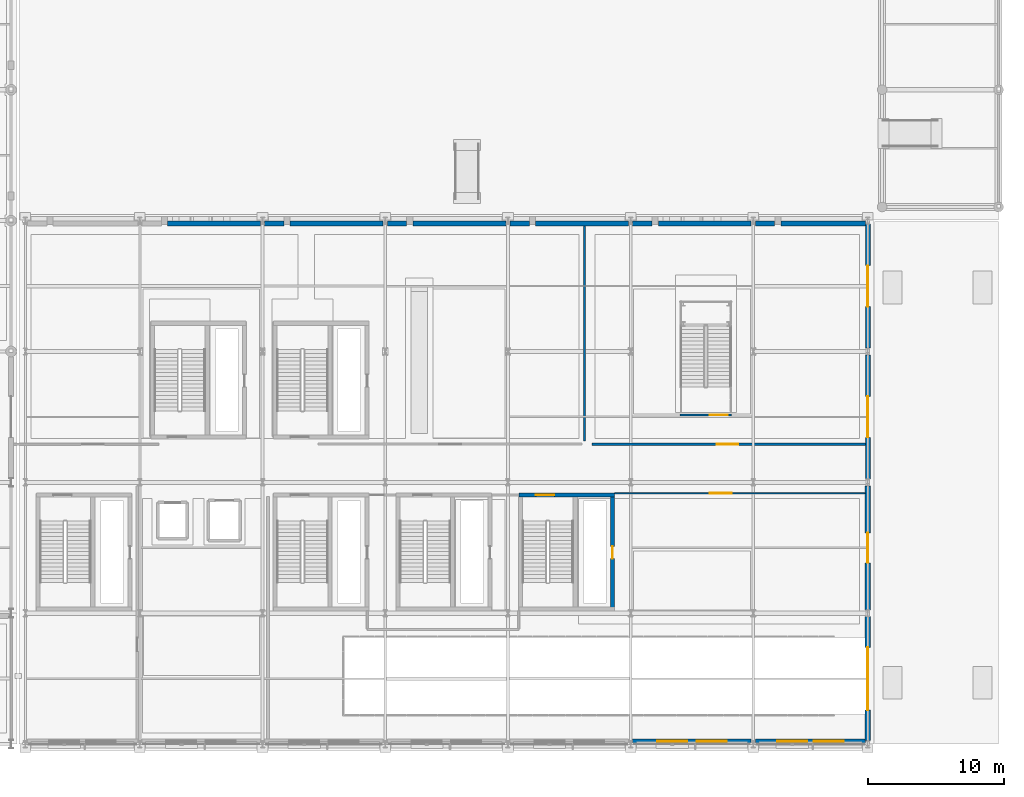
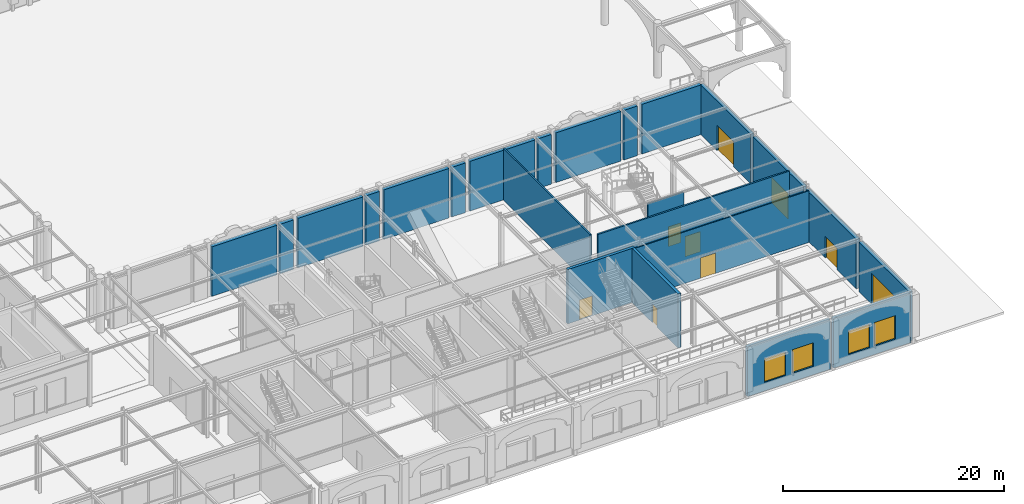
# One storey, part 66 of 113: 23 walls, 9 doors, 4 windows, 13 openings.
"""IFC4 building model written with IfcOpenShell, lengths in metres."""

from ifc_helpers import new_model, si_unit, direction, frame, frame_2d, origin, place, context, subcontext, project, spatial, rectangle, extrude, material, layer, layer_set, type_object, element, fill, save


model = new_model("IFC4")

# Units and contexts
model_context = context("Model", 3, precision=1e-05, world=origin(), true_north=direction((0.0, 1.0)))
body_context = subcontext(model_context, "Body", "Model", "MODEL_VIEW")
ifc_project = project(units=[si_unit("LENGTHUNIT", "METRE"), si_unit("AREAUNIT", "SQUARE_METRE"), si_unit("VOLUMEUNIT", "CUBIC_METRE"), si_unit("PLANEANGLEUNIT", "RADIAN"), si_unit("MASSUNIT", "GRAM", prefix="KILO")], contexts=[model_context])

# Site, building, storey
site_placement = place(None, origin())
site = spatial("IfcSite", under=ifc_project, at=site_placement, CompositionType="ELEMENT")
building_placement = place(site_placement, origin())
building = spatial("IfcBuilding", under=site, at=building_placement, Name="Myrtia Square Station", CompositionType="ELEMENT")
storey_placement = place(building_placement, origin())
storey = spatial("IfcBuildingStorey", under=building, at=storey_placement, Name="L00", CompositionType="ELEMENT", Elevation=0.0)

# Wall, opening, door
ifc_material_1 = material(Name="Concrete C35/45", Category="concrete")
ifc_layer_1 = layer(ifc_material_1, 0.300048828125, Name="Concrete C35/45")
ifc_layer_set_1 = layer_set([ifc_layer_1], Name="Concrete C35/45")
wall_type_1 = type_object("IfcWallType", Name="WL-CORE-300", PredefinedType="SHEAR", material=ifc_layer_set_1)
wall_1_placement = place(storey_placement, frame((153.800048828125, 18.27490234375, 0.0), z_axis=(0.0, 0.0, 1.0), x_axis=(1.0, 0.0, 0.0)))
wall_1 = element("IfcWall", 1, at=wall_1_placement, inside=storey, type_object=wall_type_1, Name="Core K14 shear wall L00 N", PredefinedType="SHEAR", context=body_context, shape_type="SweptSolid", body=[
    extrude(rectangle(XDim=7.0, YDim=0.300048828125, at=frame_2d((3.5, 0.0))), origin(), (0.0, 0.0, 1.0), 6.0),
])
opening_1_placement = place(wall_1_placement, frame((1.25, 0.0, 0.0)))
opening_1 = element("IfcOpeningElement", 2, at=opening_1_placement, cuts=wall_1, Name="Opening SD-101", PredefinedType="OPENING", context=body_context, shape_type="SweptSolid", body=[
    extrude(rectangle(XDim=1.35009765625, YDim=2.199951171875, at=frame_2d((0.675048828125, 1.10009765625))), frame((0.0, 0.1650390625, 0.0), z_axis=(0.0, -1.0, 0.0), x_axis=(1.0, 0.0, 0.0)), (0.0, 0.0, 1.0), 0.330078125),
])
ifc_material_2 = material(Name="Dark bronze anodised aluminium", Category="aluminium")
door_type_1 = type_object("IfcDoorType", Name="DR-STAIR-1350x2200", OperationType="NOTDEFINED", PredefinedType="DOOR", material=ifc_material_2)
door_1_placement = place(opening_1_placement, origin())
door_1 = element("IfcDoor", 3, at=door_1_placement, inside=storey, type_object=door_type_1, Name="Protected stair fire door K14 L00", OperationType="SINGLE_SWING_LEFT", OverallHeight=2.199951171875, OverallWidth=1.35009765625, PredefinedType="DOOR", context=body_context, shape_type="SweptSolid", body=[
    extrude(rectangle(XDim=1.35009765625, YDim=2.199951171875, at=frame_2d((0.675048828125, 1.10009765625))), frame((0.0, 0.02490234375, 0.0), z_axis=(0.0, -1.0, 0.0), x_axis=(1.0, 0.0, 0.0)), (0.0, 0.0, 1.0), 0.050048828125),
])
fill(opening_1, door_1)

wall_2_placement = place(storey_placement, frame((160.675048828125, 9.800048828125, 0.0), z_axis=(0.0, 0.0, 1.0), x_axis=(0.0, 1.0, 0.0)))
wall_2 = element("IfcWall", 4, at=wall_2_placement, inside=storey, type_object=wall_type_1, Name="Core K14 shear wall L00 E", PredefinedType="SHEAR", context=body_context, shape_type="SweptSolid", body=[
    extrude(rectangle(XDim=8.599853515625, YDim=0.300048828125, at=frame_2d((4.2998046875, 0.0))), origin(), (0.0, 0.0, 1.0), 6.0),
])
opening_2_placement = place(wall_2_placement, frame((3.800048828125, 0.0, 0.0)))
opening_2 = element("IfcOpeningElement", 5, at=opening_2_placement, cuts=wall_2, Name="Opening RD-102", PredefinedType="OPENING", context=body_context, shape_type="SweptSolid", body=[
    extrude(rectangle(XDim=0.89990234375, YDim=2.050048828125, at=frame_2d((0.449951171875, 1.02490234375))), frame((0.0, 0.1650390625, 0.0), z_axis=(0.0, -1.0, 0.0), x_axis=(1.0, 0.0, 0.0)), (0.0, 0.0, 1.0), 0.330078125),
])
door_type_2 = type_object("IfcDoorType", Name="DR-RISER-900x2050", OperationType="NOTDEFINED", PredefinedType="DOOR", material=ifc_material_2)
door_2_placement = place(opening_2_placement, origin())
door_2 = element("IfcDoor", 6, at=door_2_placement, inside=storey, type_object=door_type_2, Name="Riser cupboard access door K14 L00", OperationType="SINGLE_SWING_RIGHT", OverallHeight=2.050048828125, OverallWidth=0.89990234375, PredefinedType="DOOR", context=body_context, shape_type="SweptSolid", body=[
    extrude(rectangle(XDim=0.89990234375, YDim=2.050048828125, at=frame_2d((0.449951171875, 1.02490234375))), frame((0.0, 0.02490234375, 0.0), z_axis=(0.0, -1.0, 0.0), x_axis=(1.0, 0.0, 0.0)), (0.0, 0.0, 1.0), 0.050048828125),
])
fill(opening_2, door_2)

# Walls
ifc_material_3 = material(Name="Pentelic marble ashlar", Category="masonry")
ifc_layer_2 = layer(ifc_material_3, 0.3798828125, Name="Pentelic marble ashlar")
ifc_layer_set_2 = layer_set([ifc_layer_2], Name="Pentelic marble ashlar")
wall_type_2 = type_object("IfcWallType", Name="WL-EXT-ASHLAR-380", PredefinedType="SOLIDWALL", material=ifc_layer_set_2)
wall_3_placement = place(storey_placement, frame((128.030029296875, 38.199951171875, 0.0), z_axis=(0.0, 0.0, 1.0), x_axis=(1.0, 0.0, 0.0)))
element("IfcWall", 7, at=wall_3_placement, inside=storey, type_object=wall_type_2, Name="Exterior envelope wall EW-L00-0028", PredefinedType="SOLIDWALL", context=body_context, shape_type="SweptSolid", body=[
    extrude(rectangle(XDim=6.81494140625, YDim=0.3798828125, at=frame_2d((3.407470703125, 0.0))), origin(), (0.0, 0.0, 1.0), 5.489990234375),
])
wall_4_placement = place(storey_placement, frame((135.155029296875, 38.199951171875, 0.0), z_axis=(0.0, 0.0, 1.0), x_axis=(1.0, 0.0, 0.0)))
element("IfcWall", 8, at=wall_4_placement, inside=storey, type_object=wall_type_2, Name="Exterior envelope wall EW-L00-0029", PredefinedType="SOLIDWALL", context=body_context, shape_type="SweptSolid", body=[
    extrude(rectangle(XDim=1.4150390625, YDim=0.3798828125, at=frame_2d((0.70751953125, 0.0))), origin(), (0.0, 0.0, 1.0), 5.489990234375),
])
wall_5_placement = place(storey_placement, frame((137.030029296875, 38.199951171875, 0.0), z_axis=(0.0, 0.0, 1.0), x_axis=(1.0, 0.0, 0.0)))
element("IfcWall", 9, at=wall_5_placement, inside=storey, type_object=wall_type_2, Name="Exterior envelope wall EW-L00-0030", PredefinedType="SOLIDWALL", context=body_context, shape_type="SweptSolid", body=[
    extrude(rectangle(XDim=6.81494140625, YDim=0.3798828125, at=frame_2d((3.407470703125, 0.0))), origin(), (0.0, 0.0, 1.0), 5.489990234375),
])
wall_6_placement = place(storey_placement, frame((144.155029296875, 38.199951171875, 0.0), z_axis=(0.0, 0.0, 1.0), x_axis=(1.0, 0.0, 0.0)))
element("IfcWall", 10, at=wall_6_placement, inside=storey, type_object=wall_type_2, Name="Exterior envelope wall EW-L00-0031", PredefinedType="SOLIDWALL", context=body_context, shape_type="SweptSolid", body=[
    extrude(rectangle(XDim=1.4150390625, YDim=0.3798828125, at=frame_2d((0.70751953125, 0.0))), origin(), (0.0, 0.0, 1.0), 5.489990234375),
])
wall_7_placement = place(storey_placement, frame((146.030029296875, 38.199951171875, 0.0), z_axis=(0.0, 0.0, 1.0), x_axis=(1.0, 0.0, 0.0)))
element("IfcWall", 11, at=wall_7_placement, inside=storey, type_object=wall_type_2, Name="Exterior envelope wall EW-L00-0032", PredefinedType="SOLIDWALL", context=body_context, shape_type="SweptSolid", body=[
    extrude(rectangle(XDim=6.81494140625, YDim=0.3798828125, at=frame_2d((3.407470703125, 0.0))), origin(), (0.0, 0.0, 1.0), 5.489990234375),
])
wall_8_placement = place(storey_placement, frame((153.155029296875, 38.199951171875, 0.0), z_axis=(0.0, 0.0, 1.0), x_axis=(1.0, 0.0, 0.0)))
element("IfcWall", 12, at=wall_8_placement, inside=storey, type_object=wall_type_2, Name="Exterior envelope wall EW-L00-0033", PredefinedType="SOLIDWALL", context=body_context, shape_type="SweptSolid", body=[
    extrude(rectangle(XDim=1.4150390625, YDim=0.3798828125, at=frame_2d((0.70751953125, 0.0))), origin(), (0.0, 0.0, 1.0), 5.489990234375),
])
wall_9_placement = place(storey_placement, frame((155.030029296875, 38.199951171875, 0.0), z_axis=(0.0, 0.0, 1.0), x_axis=(1.0, 0.0, 0.0)))
element("IfcWall", 13, at=wall_9_placement, inside=storey, type_object=wall_type_2, Name="Exterior envelope wall EW-L00-0034", PredefinedType="SOLIDWALL", context=body_context, shape_type="SweptSolid", body=[
    extrude(rectangle(XDim=6.81494140625, YDim=0.3798828125, at=frame_2d((3.407470703125, 0.0))), origin(), (0.0, 0.0, 1.0), 5.489990234375),
])
wall_10_placement = place(storey_placement, frame((162.155029296875, 38.199951171875, 0.0), z_axis=(0.0, 0.0, 1.0), x_axis=(1.0, 0.0, 0.0)))
element("IfcWall", 14, at=wall_10_placement, inside=storey, type_object=wall_type_2, Name="Exterior envelope wall EW-L00-0035", PredefinedType="SOLIDWALL", context=body_context, shape_type="SweptSolid", body=[
    extrude(rectangle(XDim=1.4150390625, YDim=0.3798828125, at=frame_2d((0.70751953125, 0.0))), origin(), (0.0, 0.0, 1.0), 5.489990234375),
])
wall_11_placement = place(storey_placement, frame((164.030029296875, 38.199951171875, 0.0), z_axis=(0.0, 0.0, 1.0), x_axis=(1.0, 0.0, 0.0)))
element("IfcWall", 15, at=wall_11_placement, inside=storey, type_object=wall_type_2, Name="Exterior envelope wall EW-L00-0036", PredefinedType="SOLIDWALL", context=body_context, shape_type="SweptSolid", body=[
    extrude(rectangle(XDim=6.81494140625, YDim=0.3798828125, at=frame_2d((3.407470703125, 0.0))), origin(), (0.0, 0.0, 1.0), 5.489990234375),
])
wall_12_placement = place(storey_placement, frame((171.155029296875, 38.199951171875, 0.0), z_axis=(0.0, 0.0, 1.0), x_axis=(1.0, 0.0, 0.0)))
element("IfcWall", 16, at=wall_12_placement, inside=storey, type_object=wall_type_2, Name="Exterior envelope wall EW-L00-0037", PredefinedType="SOLIDWALL", context=body_context, shape_type="SweptSolid", body=[
    extrude(rectangle(XDim=1.4150390625, YDim=0.3798828125, at=frame_2d((0.70751953125, 0.0))), origin(), (0.0, 0.0, 1.0), 5.489990234375),
])
wall_13_placement = place(storey_placement, frame((173.030029296875, 38.199951171875, 0.0), z_axis=(0.0, 0.0, 1.0), x_axis=(1.0, 0.0, 0.0)))
element("IfcWall", 17, at=wall_13_placement, inside=storey, type_object=wall_type_2, Name="Exterior envelope wall EW-L00-0038", PredefinedType="SOLIDWALL", context=body_context, shape_type="SweptSolid", body=[
    extrude(rectangle(XDim=6.215087890625, YDim=0.3798828125, at=frame_2d((3.107421875, 0.0))), origin(), (0.0, 0.0, 1.0), 5.489990234375),
])

# Wall, opening, door
wall_14_placement = place(storey_placement, frame((179.39990234375, 0.2548828125, 0.0), z_axis=(0.0, 0.0, 1.0), x_axis=(0.0, 1.0, 0.0)))
wall_14 = element("IfcWall", 18, at=wall_14_placement, inside=storey, type_object=wall_type_2, Name="Exterior envelope wall EW-L00-0062", PredefinedType="SOLIDWALL", context=body_context, shape_type="SweptSolid", body=[
    extrude(rectangle(XDim=9.090087890625, YDim=0.3798828125, at=frame_2d((4.544921875, 0.0))), origin(), (0.0, 0.0, 1.0), 5.47998046875),
])
opening_3_placement = place(wall_14_placement, frame((2.2451171875, 0.0, 0.0)))
opening_3 = element("IfcOpeningElement", 19, at=opening_3_placement, cuts=wall_14, Name="Opening GD-VR1", PredefinedType="OPENING", context=body_context, shape_type="SweptSolid", body=[
    extrude(rectangle(XDim=4.60009765625, YDim=3.39990234375, at=frame_2d((2.300048828125, 1.699951171875))), frame((0.0, 0.204833984375, 0.0), z_axis=(0.0, -1.0, 0.0), x_axis=(1.0, 0.0, 0.0)), (0.0, 0.0, 1.0), 0.409912109375),
])
door_type_3 = type_object("IfcDoorType", Name="GT-VR1-4600x3400", OperationType="NOTDEFINED", PredefinedType="GATE", material=ifc_material_2)
door_3_placement = place(opening_3_placement, frame((4.60009765625, 0.0, 0.0), z_axis=(0.0, 0.0, 1.0), x_axis=(-1.0, 0.0, 0.0)))
door_3 = element("IfcDoor", 20, at=door_3_placement, inside=storey, type_object=door_type_3, Name="Vehicle ramp exit roller shutter GD-VR1", OperationType="ROLLINGUP", OverallHeight=3.39990234375, OverallWidth=4.60009765625, PredefinedType="GATE", context=body_context, shape_type="SweptSolid", body=[
    extrude(rectangle(XDim=4.60009765625, YDim=3.39990234375, at=frame_2d((2.300048828125, 1.699951171875))), frame((0.0, 0.02490234375, 0.0), z_axis=(0.0, -1.0, 0.0), x_axis=(1.0, 0.0, 0.0)), (0.0, 0.0, 1.0), 0.050048828125),
])
fill(opening_3, door_3)

wall_15_placement = place(storey_placement, frame((179.39990234375, 9.85498046875, 0.0), z_axis=(0.0, 0.0, 1.0), x_axis=(0.0, 1.0, 0.0)))
wall_15 = element("IfcWall", 21, at=wall_15_placement, inside=storey, type_object=wall_type_2, Name="Exterior envelope wall EW-L00-0064", PredefinedType="SOLIDWALL", context=body_context, shape_type="SweptSolid", body=[
    extrude(rectangle(XDim=9.090087890625, YDim=0.3798828125, at=frame_2d((4.544921875, 0.0))), origin(), (0.0, 0.0, 1.0), 5.47998046875),
])
opening_4_placement = place(wall_15_placement, frame((3.445068359375, 0.0, 0.0)))
opening_4 = element("IfcOpeningElement", 22, at=opening_4_placement, cuts=wall_15, Name="Opening ED-025", PredefinedType="OPENING", context=body_context, shape_type="SweptSolid", body=[
    extrude(rectangle(XDim=2.199951171875, YDim=2.39990234375, at=frame_2d((1.10009765625, 1.199951171875))), frame((0.0, 0.204833984375, 0.0), z_axis=(0.0, -1.0, 0.0), x_axis=(1.0, 0.0, 0.0)), (0.0, 0.0, 1.0), 0.409912109375),
])
door_type_4 = type_object("IfcDoorType", Name="DR-EXIT-2200x2400", OperationType="NOTDEFINED", PredefinedType="DOOR", material=ifc_material_2)
door_4_placement = place(opening_4_placement, frame((2.199951171875, 0.0, 0.0), z_axis=(0.0, 0.0, 1.0), x_axis=(-1.0, 0.0, 0.0)))
door_4 = element("IfcDoor", 23, at=door_4_placement, inside=storey, type_object=door_type_4, Name="Pedestrian exit door ED-025", OperationType="DOUBLE_DOOR_SINGLE_SWING", OverallHeight=2.39990234375, OverallWidth=2.199951171875, PredefinedType="DOOR", context=body_context, shape_type="SweptSolid", body=[
    extrude(rectangle(XDim=2.199951171875, YDim=2.39990234375, at=frame_2d((1.10009765625, 1.199951171875))), frame((0.0, 0.02490234375, 0.0), z_axis=(0.0, -1.0, 0.0), x_axis=(1.0, 0.0, 0.0)), (0.0, 0.0, 1.0), 0.050048828125),
])
fill(opening_4, door_4)

# Wall, openings, windows
ifc_material_4 = material(Name="Cream lime stucco on clay brick masonry", Category="masonry")
ifc_layer_3 = layer(ifc_material_4, 0.360107421875, Name="Cream lime stucco on clay brick masonry")
ifc_layer_set_3 = layer_set([ifc_layer_3], Name="Cream lime stucco on clay brick masonry")
wall_type_3 = type_object("IfcWallType", Name="WL-EXT-STUCCO-360", PredefinedType="SOLIDWALL", material=ifc_layer_set_3)
wall_16_placement = place(storey_placement, frame((162.155029296875, 0.199951171875, 0.0), z_axis=(0.0, 0.0, 1.0), x_axis=(1.0, 0.0, 0.0)))
wall_16 = element("IfcWall", 24, at=wall_16_placement, inside=storey, type_object=wall_type_3, Name="Exterior envelope wall EW-L00-0045", PredefinedType="SOLIDWALL", context=body_context, shape_type="SweptSolid", body=[
    extrude(rectangle(XDim=8.68994140625, YDim=0.360107421875, at=frame_2d((4.344970703125, 0.0))), origin(), (0.0, 0.0, 1.0), 5.489990234375),
])
opening_5_placement = place(wall_16_placement, frame((1.797119140625, 0.0, 0.949951171875)))
opening_5 = element("IfcOpeningElement", 25, at=opening_5_placement, cuts=wall_16, Name="Opening WN-031", PredefinedType="OPENING", context=body_context, shape_type="SweptSolid", body=[
    extrude(rectangle(XDim=2.199951171875, YDim=2.60009765625, at=frame_2d((1.10009765625, 1.300048828125))), frame((0.0, 0.195068359375, 0.0), z_axis=(0.0, -1.0, 0.0), x_axis=(1.0, 0.0, 0.0)), (0.0, 0.0, 1.0), 0.39013671875),
])
opening_6_placement = place(wall_16_placement, frame((4.693115234375, 0.0, 0.949951171875)))
opening_6 = element("IfcOpeningElement", 26, at=opening_6_placement, cuts=wall_16, Name="Opening WN-032", PredefinedType="OPENING", context=body_context, shape_type="SweptSolid", body=[
    extrude(rectangle(XDim=2.199951171875, YDim=2.60009765625, at=frame_2d((1.10009765625, 1.300048828125))), frame((0.0, 0.195068359375, 0.0), z_axis=(0.0, -1.0, 0.0), x_axis=(1.0, 0.0, 0.0)), (0.0, 0.0, 1.0), 0.39013671875),
])
ifc_material_5 = material(Name="Tinted low-E solar control glass", Category="glass")
window_type = type_object("IfcWindowType", Name="WN-RET-2200x2600", PartitioningType="SINGLE_PANEL", PredefinedType="WINDOW", material=ifc_material_5)
window_1_placement = place(opening_5_placement, origin())
window_1 = element("IfcWindow", 27, at=window_1_placement, inside=storey, type_object=window_type, Name="Window WN-031", OverallHeight=2.60009765625, OverallWidth=2.199951171875, PartitioningType="SINGLE_PANEL", PredefinedType="WINDOW", context=body_context, shape_type="SweptSolid", body=[
    extrude(rectangle(XDim=2.199951171875, YDim=2.60009765625, at=frame_2d((1.10009765625, 1.300048828125))), frame((0.0, 0.030029296875, 0.0), z_axis=(0.0, -1.0, 0.0), x_axis=(1.0, 0.0, 0.0)), (0.0, 0.0, 1.0), 0.06005859375),
])
fill(opening_5, window_1)
window_2_placement = place(opening_6_placement, origin())
window_2 = element("IfcWindow", 28, at=window_2_placement, inside=storey, type_object=window_type, Name="Window WN-032", OverallHeight=2.60009765625, OverallWidth=2.199951171875, PartitioningType="SINGLE_PANEL", PredefinedType="WINDOW", context=body_context, shape_type="SweptSolid", body=[
    extrude(rectangle(XDim=2.199951171875, YDim=2.60009765625, at=frame_2d((1.10009765625, 1.300048828125))), frame((0.0, 0.030029296875, 0.0), z_axis=(0.0, -1.0, 0.0), x_axis=(1.0, 0.0, 0.0)), (0.0, 0.0, 1.0), 0.06005859375),
])
fill(opening_6, window_2)

wall_17_placement = place(storey_placement, frame((171.155029296875, 0.199951171875, 0.0), z_axis=(0.0, 0.0, 1.0), x_axis=(1.0, 0.0, 0.0)))
wall_17 = element("IfcWall", 29, at=wall_17_placement, inside=storey, type_object=wall_type_3, Name="Exterior envelope wall EW-L00-0046", PredefinedType="SOLIDWALL", context=body_context, shape_type="SweptSolid", body=[
    extrude(rectangle(XDim=8.090087890625, YDim=0.360107421875, at=frame_2d((4.044921875, 0.0))), origin(), (0.0, 0.0, 1.0), 5.489990234375),
])
opening_7_placement = place(wall_17_placement, frame((1.596923828125, 0.0, 0.949951171875)))
opening_7 = element("IfcOpeningElement", 30, at=opening_7_placement, cuts=wall_17, Name="Opening WN-033", PredefinedType="OPENING", context=body_context, shape_type="SweptSolid", body=[
    extrude(rectangle(XDim=2.199951171875, YDim=2.60009765625, at=frame_2d((1.10009765625, 1.300048828125))), frame((0.0, 0.195068359375, 0.0), z_axis=(0.0, -1.0, 0.0), x_axis=(1.0, 0.0, 0.0)), (0.0, 0.0, 1.0), 0.39013671875),
])
opening_8_placement = place(wall_17_placement, frame((4.29296875, 0.0, 0.949951171875)))
opening_8 = element("IfcOpeningElement", 31, at=opening_8_placement, cuts=wall_17, Name="Opening WN-034", PredefinedType="OPENING", context=body_context, shape_type="SweptSolid", body=[
    extrude(rectangle(XDim=2.199951171875, YDim=2.60009765625, at=frame_2d((1.10009765625, 1.300048828125))), frame((0.0, 0.195068359375, 0.0), z_axis=(0.0, -1.0, 0.0), x_axis=(1.0, 0.0, 0.0)), (0.0, 0.0, 1.0), 0.39013671875),
])
window_3_placement = place(opening_7_placement, origin())
window_3 = element("IfcWindow", 32, at=window_3_placement, inside=storey, type_object=window_type, Name="Window WN-033", OverallHeight=2.60009765625, OverallWidth=2.199951171875, PartitioningType="SINGLE_PANEL", PredefinedType="WINDOW", context=body_context, shape_type="SweptSolid", body=[
    extrude(rectangle(XDim=2.199951171875, YDim=2.60009765625, at=frame_2d((1.10009765625, 1.300048828125))), frame((0.0, 0.030029296875, 0.0), z_axis=(0.0, -1.0, 0.0), x_axis=(1.0, 0.0, 0.0)), (0.0, 0.0, 1.0), 0.06005859375),
])
fill(opening_7, window_3)
window_4_placement = place(opening_8_placement, origin())
window_4 = element("IfcWindow", 33, at=window_4_placement, inside=storey, type_object=window_type, Name="Window WN-034", OverallHeight=2.60009765625, OverallWidth=2.199951171875, PartitioningType="SINGLE_PANEL", PredefinedType="WINDOW", context=body_context, shape_type="SweptSolid", body=[
    extrude(rectangle(XDim=2.199951171875, YDim=2.60009765625, at=frame_2d((1.10009765625, 1.300048828125))), frame((0.0, 0.030029296875, 0.0), z_axis=(0.0, -1.0, 0.0), x_axis=(1.0, 0.0, 0.0)), (0.0, 0.0, 1.0), 0.06005859375),
])
fill(opening_8, window_4)

# Wall, opening, door
wall_18_placement = place(storey_placement, frame((179.39990234375, 19.455078125, 0.0), z_axis=(0.0, 0.0, 1.0), x_axis=(0.0, 1.0, 0.0)))
wall_18 = element("IfcWall", 34, at=wall_18_placement, inside=storey, type_object=wall_type_3, Name="Exterior envelope wall EW-L00-0066", PredefinedType="SOLIDWALL", context=body_context, shape_type="SweptSolid", body=[
    extrude(rectangle(XDim=9.08984375, YDim=0.360107421875, at=frame_2d((4.544921875, 0.0))), origin(), (0.0, 0.0, 1.0), 5.47998046875),
])
opening_9_placement = place(wall_18_placement, frame((3.044921875, 0.0, 0.0)))
opening_9 = element("IfcOpeningElement", 35, at=opening_9_placement, cuts=wall_18, Name="Opening ED-026", PredefinedType="OPENING", context=body_context, shape_type="SweptSolid", body=[
    extrude(rectangle(XDim=3.0, YDim=2.800048828125, at=frame_2d((1.5, 1.39990234375))), frame((0.0, 0.195068359375, 0.0), z_axis=(0.0, -1.0, 0.0), x_axis=(1.0, 0.0, 0.0)), (0.0, 0.0, 1.0), 0.39013671875),
])
door_type_5 = type_object("IfcDoorType", Name="GT-SRV-3000x2800", OperationType="NOTDEFINED", PredefinedType="GATE", material=ifc_material_2)
door_5_placement = place(opening_9_placement, frame((3.0, 0.0, 0.0), z_axis=(0.0, 0.0, 1.0), x_axis=(-1.0, 0.0, 0.0)))
door_5 = element("IfcDoor", 36, at=door_5_placement, inside=storey, type_object=door_type_5, Name="Service apron gate ED-026", OperationType="ROLLINGUP", OverallHeight=2.800048828125, OverallWidth=3.0, PredefinedType="GATE", context=body_context, shape_type="SweptSolid", body=[
    extrude(rectangle(XDim=3.0, YDim=2.800048828125, at=frame_2d((1.5, 1.39990234375))), frame((0.0, 0.02490234375, 0.0), z_axis=(0.0, -1.0, 0.0), x_axis=(1.0, 0.0, 0.0)), (0.0, 0.0, 1.0), 0.050048828125),
])
fill(opening_9, door_5)

wall_19_placement = place(storey_placement, frame((179.39990234375, 29.054931640625, 0.0), z_axis=(0.0, 0.0, 1.0), x_axis=(0.0, 1.0, 0.0)))
wall_19 = element("IfcWall", 37, at=wall_19_placement, inside=storey, type_object=wall_type_3, Name="Exterior envelope wall EW-L00-0068", PredefinedType="SOLIDWALL", context=body_context, shape_type="SweptSolid", body=[
    extrude(rectangle(XDim=9.090087890625, YDim=0.360107421875, at=frame_2d((4.544921875, 0.0))), origin(), (0.0, 0.0, 1.0), 5.47998046875),
])
opening_10_placement = place(wall_19_placement, frame((3.044921875, 0.0, 0.0)))
opening_10 = element("IfcOpeningElement", 38, at=opening_10_placement, cuts=wall_19, Name="Opening ED-027", PredefinedType="OPENING", context=body_context, shape_type="SweptSolid", body=[
    extrude(rectangle(XDim=3.0, YDim=2.800048828125, at=frame_2d((1.5, 1.39990234375))), frame((0.0, 0.195068359375, 0.0), z_axis=(0.0, -1.0, 0.0), x_axis=(1.0, 0.0, 0.0)), (0.0, 0.0, 1.0), 0.39013671875),
])
door_6_placement = place(opening_10_placement, frame((3.0, 0.0, 0.0), z_axis=(0.0, 0.0, 1.0), x_axis=(-1.0, 0.0, 0.0)))
door_6 = element("IfcDoor", 39, at=door_6_placement, inside=storey, type_object=door_type_5, Name="Service apron gate ED-027", OperationType="ROLLINGUP", OverallHeight=2.800048828125, OverallWidth=3.0, PredefinedType="GATE", context=body_context, shape_type="SweptSolid", body=[
    extrude(rectangle(XDim=3.0, YDim=2.800048828125, at=frame_2d((1.5, 1.39990234375))), frame((0.0, 0.02490234375, 0.0), z_axis=(0.0, -1.0, 0.0), x_axis=(1.0, 0.0, 0.0)), (0.0, 0.0, 1.0), 0.050048828125),
])
fill(opening_10, door_6)

ifc_material_6 = material(Name="Gypsum plasterboard")
ifc_layer_4 = layer(ifc_material_6, 0.10009765625, Name="Gypsum plasterboard")
ifc_layer_set_4 = layer_set([ifc_layer_4], Name="Gypsum plasterboard")
wall_type_4 = type_object("IfcWallType", Name="WL-PART-100", PredefinedType="PARTITIONING", material=ifc_layer_set_4)
wall_20_placement = place(storey_placement, frame((160.830078125, 18.39990234375, 0.0), z_axis=(0.0, 0.0, 1.0), x_axis=(1.0, 0.0, 0.0)))
wall_20 = element("IfcWall", 40, at=wall_20_placement, inside=storey, type_object=wall_type_4, Name="Interior partition wall L00-13", PredefinedType="PARTITIONING", context=body_context, shape_type="SweptSolid", body=[
    extrude(rectangle(XDim=18.375, YDim=0.10009765625, at=frame_2d((9.1875, 0.0))), origin(), (0.0, 0.0, 1.0), 5.719970703125),
])
opening_11_placement = place(wall_20_placement, frame((6.97509765625, 0.0, 0.0)))
opening_11 = element("IfcOpeningElement", 41, at=opening_11_placement, cuts=wall_20, Name="Opening D-224", PredefinedType="OPENING", context=body_context, shape_type="SweptSolid", body=[
    extrude(rectangle(XDim=1.60009765625, YDim=2.25, at=frame_2d((0.800048828125, 1.125))), frame((0.0, 0.06494140625, 0.0), z_axis=(0.0, -1.0, 0.0), x_axis=(1.0, 0.0, 0.0)), (0.0, 0.0, 1.0), 0.130126953125),
])
door_type_6 = type_object("IfcDoorType", Name="DR-CORR-1600x2250", OperationType="NOTDEFINED", PredefinedType="DOOR", material=ifc_material_2)
door_7_placement = place(opening_11_placement, origin())
door_7 = element("IfcDoor", 42, at=door_7_placement, inside=storey, type_object=door_type_6, Name="Ground Passenger Waiting Lounge South door D-224", OperationType="DOUBLE_DOOR_SINGLE_SWING", OverallHeight=2.25, OverallWidth=1.60009765625, PredefinedType="DOOR", context=body_context, shape_type="SweptSolid", body=[
    extrude(rectangle(XDim=1.60009765625, YDim=2.25, at=frame_2d((0.800048828125, 1.125))), frame((0.0, 0.02490234375, 0.0), z_axis=(0.0, -1.0, 0.0), x_axis=(1.0, 0.0, 0.0)), (0.0, 0.0, 1.0), 0.050048828125),
])
fill(opening_11, door_7)

ifc_layer_5 = layer(ifc_material_6, 0.14990234375, Name="Gypsum plasterboard")
ifc_layer_set_5 = layer_set([ifc_layer_5], Name="Gypsum plasterboard")
wall_type_5 = type_object("IfcWallType", Name="WL-PART-150", PredefinedType="PARTITIONING", material=ifc_layer_set_5)
wall_21_placement = place(storey_placement, frame((165.639892578125, 24.14990234375, 0.0), z_axis=(0.0, 0.0, 1.0), x_axis=(1.0, 0.0, 0.0)))
wall_21 = element("IfcWall", 43, at=wall_21_placement, inside=storey, type_object=wall_type_5, Name="Interchange stair smoke vestibule wall 07 L00", PredefinedType="PARTITIONING", context=body_context, shape_type="SweptSolid", body=[
    extrude(rectangle(XDim=3.760009765625, YDim=0.14990234375, at=frame_2d((1.8798828125, 0.0))), origin(), (0.0, 0.0, 1.0), 5.530029296875),
])
opening_12_placement = place(wall_21_placement, frame((2.14990234375, 0.0, 0.0)))
opening_12 = element("IfcOpeningElement", 44, at=opening_12_placement, cuts=wall_21, Name="Opening SD-195", PredefinedType="OPENING", context=body_context, shape_type="SweptSolid", body=[
    extrude(rectangle(XDim=1.35009765625, YDim=2.199951171875, at=frame_2d((0.675048828125, 1.10009765625))), frame((0.0, 0.08984375, 0.0), z_axis=(0.0, -1.0, 0.0), x_axis=(1.0, 0.0, 0.0)), (0.0, 0.0, 1.0), 0.179931640625),
])
door_8_placement = place(opening_12_placement, frame((1.35009765625, 0.0, 0.0), z_axis=(0.0, 0.0, 1.0), x_axis=(-1.0, 0.0, 0.0)))
door_8 = element("IfcDoor", 45, at=door_8_placement, inside=storey, type_object=door_type_1, Name="Interchange stair fire door 07 L00", OperationType="SINGLE_SWING_LEFT", OverallHeight=2.199951171875, OverallWidth=1.35009765625, PredefinedType="DOOR", context=body_context, shape_type="SweptSolid", body=[
    extrude(rectangle(XDim=1.35009765625, YDim=2.199951171875, at=frame_2d((0.675048828125, 1.10009765625))), frame((0.0, 0.02490234375, 0.0), z_axis=(0.0, -1.0, 0.0), x_axis=(1.0, 0.0, 0.0)), (0.0, 0.0, 1.0), 0.050048828125),
])
fill(opening_12, door_8)

# Wall
wall_22_placement = place(storey_placement, frame((158.60009765625, 22.25, 0.0), z_axis=(0.0, 0.0, 1.0), x_axis=(0.0, 1.0, 0.0)))
element("IfcWall", 46, at=wall_22_placement, inside=storey, type_object=wall_type_5, Name="Room divider partition L00-10", PredefinedType="PARTITIONING", context=body_context, shape_type="SweptSolid", body=[
    extrude(rectangle(XDim=15.7548828125, YDim=0.14990234375, at=frame_2d((7.87744140625, 0.0))), origin(), (0.0, 0.0, 1.0), 5.719970703125),
])

# Wall, opening, door
ifc_layer_6 = layer(ifc_material_4, 0.175048828125, Name="Cream lime stucco on clay brick masonry")
ifc_layer_set_6 = layer_set([ifc_layer_6], Name="Cream lime stucco on clay brick masonry")
wall_type_6 = type_object("IfcWallType", Name="WL-PART-175", PredefinedType="PARTITIONING", material=ifc_layer_set_6)
wall_23_placement = place(storey_placement, frame((159.14990234375, 22.0, 0.0), z_axis=(0.0, 0.0, 1.0), x_axis=(1.0, 0.0, 0.0)))
wall_23 = element("IfcWall", 47, at=wall_23_placement, inside=storey, type_object=wall_type_6, Name="Interior partition wall L00-11", PredefinedType="PARTITIONING", context=body_context, shape_type="SweptSolid", body=[
    extrude(rectangle(XDim=20.065185546875, YDim=0.175048828125, at=frame_2d((10.03271484375, 0.0))), origin(), (0.0, 0.0, 1.0), 5.719970703125),
])
opening_13_placement = place(wall_23_placement, frame((9.14990234375, 0.0, 0.0)))
opening_13 = element("IfcOpeningElement", 48, at=opening_13_placement, cuts=wall_23, Name="Opening D-222", PredefinedType="OPENING", context=body_context, shape_type="SweptSolid", body=[
    extrude(rectangle(XDim=1.60009765625, YDim=2.25, at=frame_2d((0.800048828125, 1.125))), frame((0.0, 0.1025390625, 0.0), z_axis=(0.0, -1.0, 0.0), x_axis=(1.0, 0.0, 0.0)), (0.0, 0.0, 1.0), 0.205078125),
])
door_9_placement = place(opening_13_placement, frame((1.60009765625, 0.0, 0.0), z_axis=(0.0, 0.0, 1.0), x_axis=(-1.0, 0.0, 0.0)))
door_9 = element("IfcDoor", 49, at=door_9_placement, inside=storey, type_object=door_type_6, Name="Station Pharmacy and Health Shop door D-222", OperationType="DOUBLE_DOOR_SINGLE_SWING", OverallHeight=2.25, OverallWidth=1.60009765625, PredefinedType="DOOR", context=body_context, shape_type="SweptSolid", body=[
    extrude(rectangle(XDim=1.60009765625, YDim=2.25, at=frame_2d((0.800048828125, 1.125))), frame((0.0, 0.02490234375, 0.0), z_axis=(0.0, -1.0, 0.0), x_axis=(1.0, 0.0, 0.0)), (0.0, 0.0, 1.0), 0.050048828125),
])
fill(opening_13, door_9)

save(model, "model.ifc")
